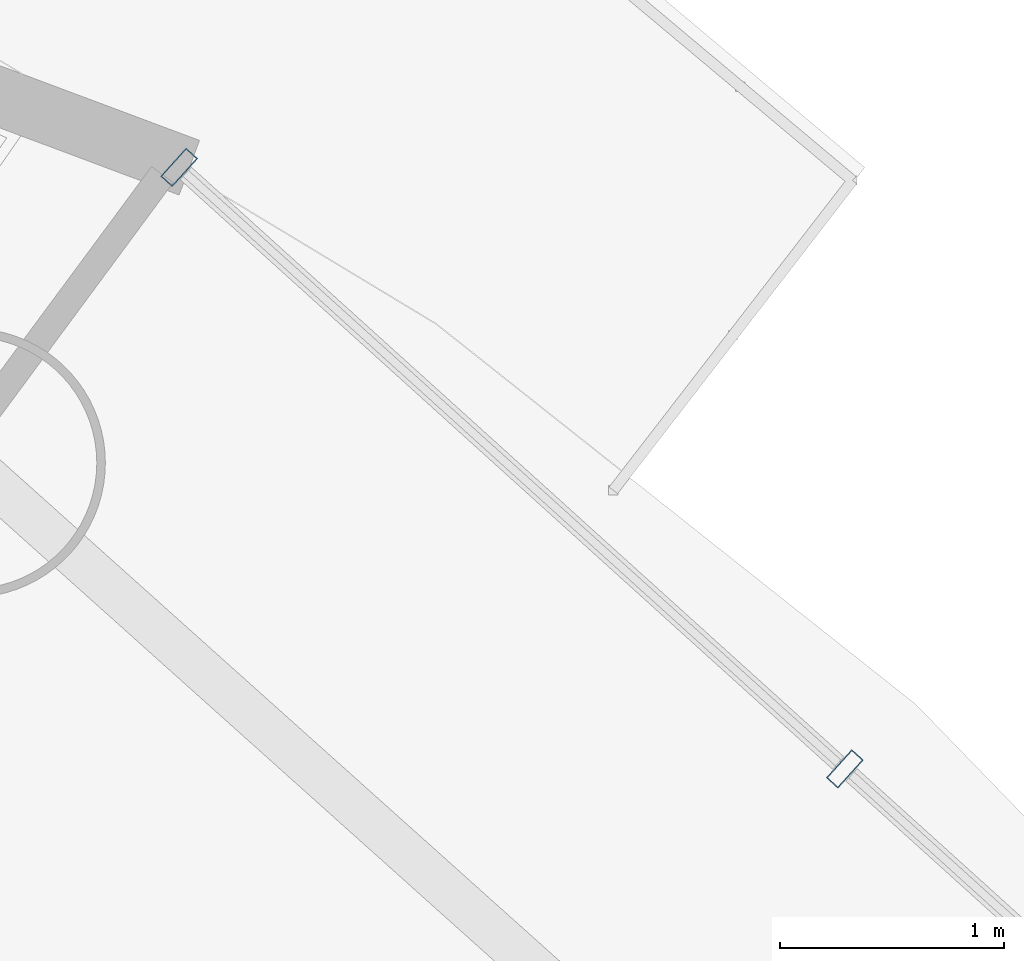
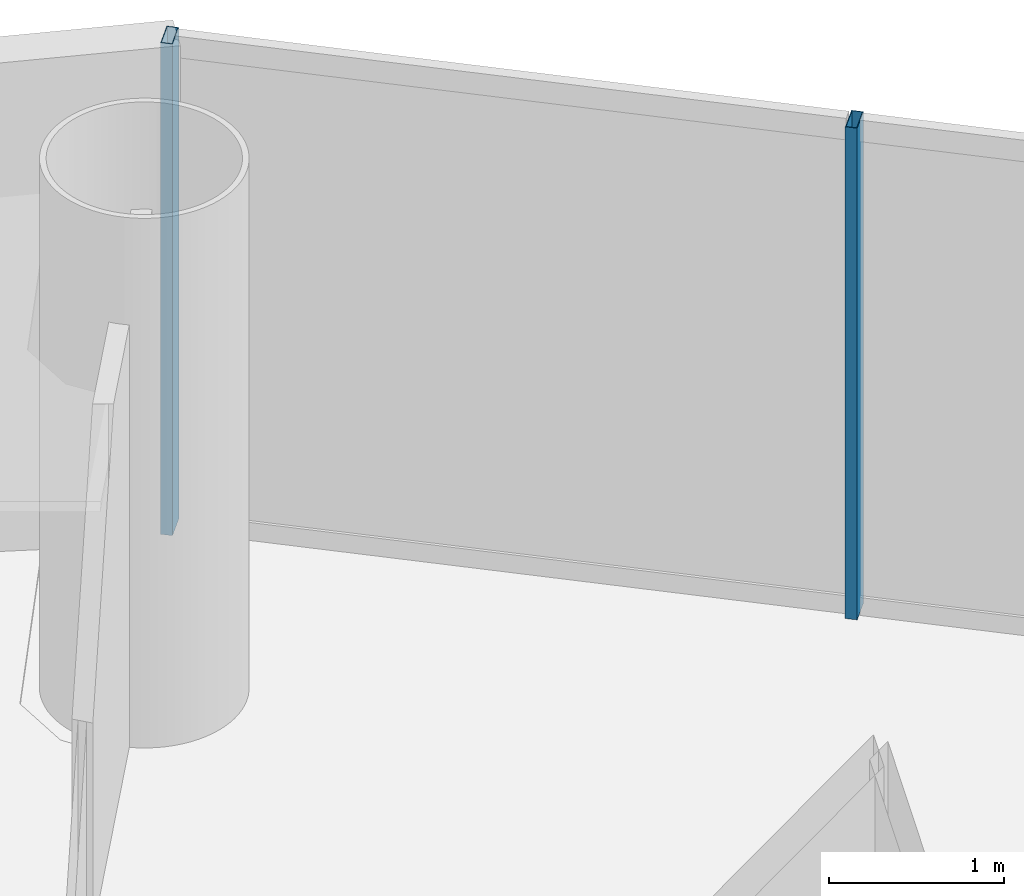
# One storey, part 18 of 26: 2 members, 1 element without a shape of its own.
"""IFC4 building model written with IfcOpenShell, lengths in metres."""

import ifcopenshell
import ifcopenshell.guid

model = None  # the IFC model being written
_history = None  # IfcOwnerHistory: only IFC2X3 demands one
_inside = {}  # id of a spatial element -> (the spatial element, [elements in it])
_under = {}  # id of a project, library or spatial element -> (it, [spatial elements below it])
_declared = {}  # id of a project -> (the project, [libraries it declares])
_typed = {}  # id of a type object -> (the type object, [elements of that type])
_made_of = {}  # id of a material, layer set ... -> (it, [elements and type objects made of it])


def new_model(schema):
    """Start an empty IFC model of exactly this schema.

    Asked for "IFC4X3", IfcOpenShell would pick the latest addendum, in which some entities
    have other attributes; the version numbers below select the first issue.
    IFC2X3 requires an IfcOwnerHistory on every rooted entity: one is made here for all.
    """
    global model, _history
    if schema == "IFC4X3":
        model = ifcopenshell.file(schema_version=(4, 3, 0, 0))
    else:
        model = ifcopenshell.file(schema=schema)
    _inside.clear()
    _under.clear()
    _declared.clear()
    _typed.clear()
    _made_of.clear()
    _history = None
    if model.schema == "IFC2X3":
        org = make("IfcOrganization", Name="unknown")
        user = make(
            "IfcPersonAndOrganization",
            ThePerson=make("IfcPerson", FamilyName="unknown"),
            TheOrganization=org,
        )
        app = make(
            "IfcApplication",
            ApplicationDeveloper=org,
            Version="unknown",
            ApplicationFullName="unknown",
            ApplicationIdentifier="unknown",
        )
        _history = make(
            "IfcOwnerHistory",
            OwningUser=user,
            OwningApplication=app,
            ChangeAction="ADDED",
            CreationDate=0,
        )
    return model


def make(cls, **values):
    """One entity of the class cls with the attributes given. An attribute that is None is left unset."""
    return model.create_entity(
        cls, **{name: value for name, value in values.items() if value is not None}
    )


def rooted(cls, **values):
    """An entity with a GlobalId (a new one), such as an element, a storey or a relation."""
    return make(cls, GlobalId=ifcopenshell.guid.new(), OwnerHistory=_history, **values)


def si_unit(unit_type, name, prefix=None):
    """IfcSIUnit, for example si_unit("LENGTHUNIT", "METRE", prefix="MILLI")."""
    return make("IfcSIUnit", UnitType=unit_type, Prefix=prefix, Name=name)


def assignment(units):
    """IfcUnitAssignment: the units of a project."""
    return None if units is None else make("IfcUnitAssignment", Units=units)


def point(xyz):
    """IfcCartesianPoint."""
    return None if xyz is None else make("IfcCartesianPoint", Coordinates=xyz)


def direction(xyz):
    """IfcDirection."""
    return None if xyz is None else make("IfcDirection", DirectionRatios=xyz)


def frame(location, z_axis=None, x_axis=None):
    """IfcAxis2Placement3D, a coordinate frame: its origin and axes. An axis left out is left unset."""
    return make(
        "IfcAxis2Placement3D",
        Location=point(location),
        Axis=direction(z_axis),
        RefDirection=direction(x_axis),
    )


def frame_2d(location, x_axis=None):
    """IfcAxis2Placement2D, a coordinate frame in the plane: its origin and x axis."""
    return make(
        "IfcAxis2Placement2D", Location=point(location), RefDirection=direction(x_axis)
    )


def origin():
    """The frame at (0, 0, 0) with its axes left unset."""
    return frame((0.0, 0.0, 0.0))


def origin_2d():
    """The frame at (0, 0) in the plane with its x axis left unset."""
    return frame_2d((0.0, 0.0))


def place(relative_to, where):
    """IfcLocalPlacement: puts the frame where relative to a parent placement (None: the world)."""
    return make(
        "IfcLocalPlacement", PlacementRelTo=relative_to, RelativePlacement=where
    )


def context(
    kind, dimensions, precision=None, world=None, true_north=None, identifier=None
):
    """IfcGeometricRepresentationContext, for example the 3D "Model" context."""
    return make(
        "IfcGeometricRepresentationContext",
        ContextIdentifier=identifier,
        ContextType=kind,
        CoordinateSpaceDimension=dimensions,
        Precision=precision,
        WorldCoordinateSystem=world,
        TrueNorth=true_north,
    )


def subcontext(parent, identifier, kind, view, scale=None):
    """IfcGeometricRepresentationSubContext, for example "Body" below "Model"."""
    return make(
        "IfcGeometricRepresentationSubContext",
        ContextIdentifier=identifier,
        ContextType=kind,
        ParentContext=parent,
        TargetScale=scale,
        TargetView=view,
    )


def project(units=None, contexts=None):
    """IfcProject with its units and contexts."""
    return rooted(
        "IfcProject",
        Name="project",
        RepresentationContexts=contexts,
        UnitsInContext=assignment(units),
    )


def spatial(cls, under=None, at=None, **own):
    """A site, building, storey or space (cls), placed at a placement, below another one or the project."""
    s = rooted(cls, ObjectPlacement=at, **own)
    if under is not None:
        _under.setdefault(under.id(), (under, []))[1].append(s)
    return s


def profile(cls, at=None, kind="AREA", **sizes):
    """A parametric profile (cls). Its sizes go by their IFC names, for example OverallWidth=200.0."""
    return make(cls, ProfileType=kind, Position=at, **sizes)


def hollow_rectangle(**sizes):
    """IfcRectangleHollowProfileDef."""
    return profile("IfcRectangleHollowProfileDef", **sizes)


def extrude(swept, where, along, depth):
    """IfcExtrudedAreaSolid: the profile swept, set in the frame where, extruded along a direction by depth."""
    return make(
        "IfcExtrudedAreaSolid",
        SweptArea=swept,
        Position=where,
        ExtrudedDirection=direction(along),
        Depth=depth,
    )


def shape(context_of_items, identifier, shape_type, items):
    """IfcShapeRepresentation: the items that make up one representation, for example the "Body"."""
    return make(
        "IfcShapeRepresentation",
        ContextOfItems=context_of_items,
        RepresentationIdentifier=identifier,
        RepresentationType=shape_type,
        Items=items,
    )


def source(mapping_origin, context_of_items, identifier, shape_type, items):
    """IfcRepresentationMap: a shape defined once, which mapped items show again and again."""
    return make(
        "IfcRepresentationMap",
        MappingOrigin=mapping_origin,
        MappedRepresentation=shape(context_of_items, identifier, shape_type, items),
    )


def transform(
    local_origin,
    x_axis=None,
    y_axis=None,
    z_axis=None,
    scale=None,
    scale2=None,
    scale3=None,
    uniform=True,
):
    """IfcCartesianTransformationOperator3D, or its non-uniform kind. x_axis, y_axis, z_axis: its Axis1, 2, 3."""
    if uniform:
        return make(
            "IfcCartesianTransformationOperator3D",
            Axis1=direction(x_axis),
            Axis2=direction(y_axis),
            LocalOrigin=point(local_origin),
            Scale=scale,
            Axis3=direction(z_axis),
        )
    return make(
        "IfcCartesianTransformationOperator3DnonUniform",
        Axis1=direction(x_axis),
        Axis2=direction(y_axis),
        LocalOrigin=point(local_origin),
        Scale=scale,
        Axis3=direction(z_axis),
        Scale2=scale2,
        Scale3=scale3,
    )


def mapped(mapping_source, mapping_target):
    """IfcMappedItem: shows the shape of a source again, moved by a transform."""
    return make(
        "IfcMappedItem", MappingSource=mapping_source, MappingTarget=mapping_target
    )


def material(Name=None, Category=None):
    """IfcMaterial."""
    return make("IfcMaterial", Name=Name, Category=Category)


def material_profile(
    of_material, cross_section, Name=None, Category=None, Priority=None
):
    """IfcMaterialProfile: a cross section and its material."""
    return make(
        "IfcMaterialProfile",
        Name=Name,
        Material=of_material,
        Profile=cross_section,
        Priority=Priority,
        Category=Category,
    )


def profile_set(profiles, Name=None, composite=None):
    """IfcMaterialProfileSet."""
    return make(
        "IfcMaterialProfileSet",
        Name=Name,
        MaterialProfiles=profiles,
        CompositeProfile=composite,
    )


def made_of(thing, what):
    """Note that an element or type object is made of a material, layer set ...; save() writes the relation."""
    if what is not None:
        _made_of.setdefault(what.id(), (what, []))[1].append(thing)
    return thing


def type_object(cls, material=None, **own):
    """A type object (cls), such as IfcWallType, which elements share."""
    return made_of(rooted(cls, **own), material)


def element(
    cls,
    number,
    at=None,
    inside=None,
    cuts=None,
    type_object=None,
    material=None,
    context=None,
    identifier="Body",
    shape_type=None,
    held_by="IfcProductDefinitionShape",
    body=None,
    shapes=None,
    **own,
):
    """One element of the class cls, such as IfcWall. Its Tag is "e" and its number.

    at: its placement. inside: the storey or other place that contains it. cuts: it is an
    opening in that element (IfcRelVoidsElement). A single representation is given by context,
    identifier, shape_type and body (its items); several are given by shapes. held_by: the class
    of the entity that holds the representations. save() writes the other relations.
    """
    e = rooted(cls, Tag="e%d" % number, ObjectPlacement=at, **own)
    if body is not None:
        shapes = [shape(context, identifier, shape_type, body)]
    if shapes is not None:
        e.Representation = make(held_by, Representations=shapes)
    if inside is not None:
        _inside.setdefault(inside.id(), (inside, []))[1].append(e)
    if cuts is not None:
        rooted(
            "IfcRelVoidsElement", RelatingBuildingElement=cuts, RelatedOpeningElement=e
        )
    if type_object is not None:
        _typed.setdefault(type_object.id(), (type_object, []))[1].append(e)
    return made_of(e, material)


def aggregate(whole, parts):
    """IfcRelAggregates: a whole, such as a stair, and the parts it consists of."""
    return rooted("IfcRelAggregates", RelatingObject=whole, RelatedObjects=parts)


def save(model, path):
    """Write the relations noted so far, then the file.

    IfcRelAggregates (storeys below a building ...), IfcRelContainedInSpatialStructure (elements
    in a storey), IfcRelDefinesByType, IfcRelAssociatesMaterial and IfcRelDeclares: one each for
    every whole, place, type object, material and project.
    """
    for whole, parts in _under.values():
        aggregate(whole, parts)
    for where, things in _inside.values():
        rooted(
            "IfcRelContainedInSpatialStructure",
            RelatedElements=things,
            RelatingStructure=where,
        )
    for kind, things in _typed.values():
        rooted("IfcRelDefinesByType", RelatedObjects=things, RelatingType=kind)
    for what, things in _made_of.values():
        rooted("IfcRelAssociatesMaterial", RelatedObjects=things, RelatingMaterial=what)
    for by, libraries in _declared.values():
        rooted("IfcRelDeclares", RelatingContext=by, RelatedDefinitions=libraries)
    model.write(path)


model = new_model("IFC4")

# Units and contexts
model_context = context("Model", 3, precision=1e-05, world=origin(), true_north=direction((-0.2419218956, 0.970295726276)))
body_context = subcontext(model_context, "Body", "Model", "MODEL_VIEW")
ifc_project = project(units=[si_unit("LENGTHUNIT", "METRE"), si_unit("AREAUNIT", "SQUARE_METRE"), si_unit("VOLUMEUNIT", "CUBIC_METRE"), si_unit("PLANEANGLEUNIT", "RADIAN"), si_unit("MASSUNIT", "GRAM", prefix="KILO")], contexts=[model_context])

# Site, building, storey
site_placement = place(None, origin())
site = spatial("IfcSite", under=ifc_project, at=site_placement, CompositionType="ELEMENT")
building_placement = place(site_placement, origin())
building = spatial("IfcBuilding", under=site, at=building_placement, Name="Cobrevalo Terracotta Tower", CompositionType="ELEMENT")
storey_placement = place(building_placement, frame((0.0, 0.0, 206.0)))
storey = spatial("IfcBuildingStorey", under=building, at=storey_placement, Name="L54", CompositionType="ELEMENT", Elevation=206.0)

# Curtain wall, members
ifc_material = material(Name="Anodized aluminium", Category="aluminium")
curtain_wall_type = type_object("IfcCurtainWallType", Name="Mid-tower high-wind unitised curtain wall CW-U2", PredefinedType="NOTDEFINED", material=ifc_material)
curtain_wall_placement = place(storey_placement, origin())
curtain_wall = element("IfcCurtainWall", 1, at=curtain_wall_placement, inside=storey, type_object=curtain_wall_type, Name="L54 curtain wall CW-L54-S02", PredefinedType="NOTDEFINED")
ifc_material_profile = material_profile(ifc_material, hollow_rectangle(XDim=0.070068359375, YDim=0.169921875, WallThickness=0.00439453125, at=origin_2d()), Name="CWM 70x170")
ifc_profile_set = profile_set([ifc_material_profile], Name="Anodized aluminium")
member_type = type_object("IfcMemberType", Name="Upper tower unitised mullion 70x170", PredefinedType="MULLION", material=ifc_profile_set)
shared_shape = source(origin(), body_context, "Body", "SweptSolid", [
    extrude(hollow_rectangle(XDim=0.070068359375, YDim=0.169921875, WallThickness=0.00439453125, at=origin_2d()), origin(), (0.0, 0.0, 1.0), 3.43505859375),
])
member_1_placement = place(storey_placement, frame((53.097900390625, 40.441650390625, 0.0), z_axis=(0.0, 0.0, 1.0), x_axis=(-0.741987542015, 0.670413668935, 0.0)))
member_1 = element("IfcMember", 2, at=member_1_placement, type_object=member_type, Name="CW-L54-S02 vertical mullion 02", PredefinedType="MULLION", context=body_context, shape_type="MappedRepresentation", body=[
    mapped(shared_shape, transform((0.0, 0.0, 0.0), scale=1.0)),
])
member_2_placement = place(storey_placement, frame((50.12451171875, 43.128173828125, 0.0), z_axis=(0.0, 0.0, 1.0), x_axis=(-0.741987542015, 0.670413668935, 0.0)))
member_2 = element("IfcMember", 3, at=member_2_placement, type_object=member_type, Name="CW-L54-S02 vertical mullion 03", PredefinedType="MULLION", context=body_context, shape_type="MappedRepresentation", body=[
    mapped(shared_shape, transform((0.0, 0.0, 0.0), scale=1.0)),
])
aggregate(curtain_wall, [member_1, member_2])

save(model, "model.ifc")
